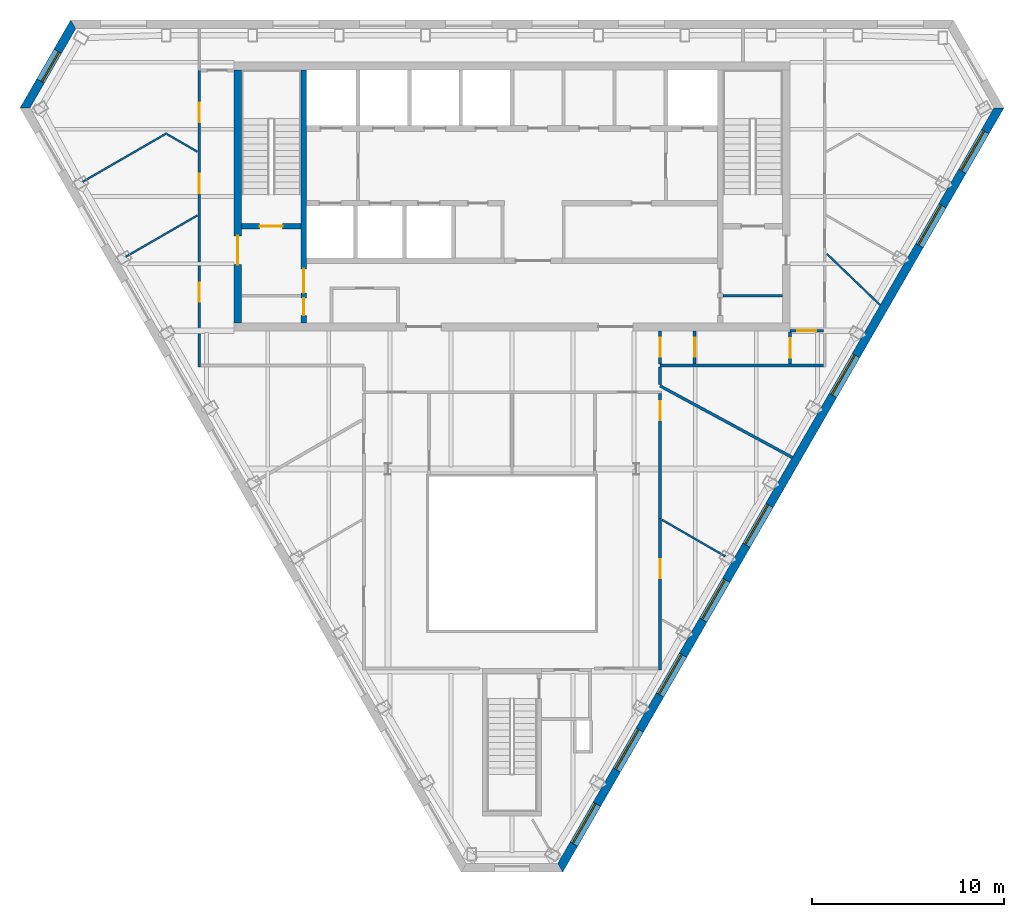
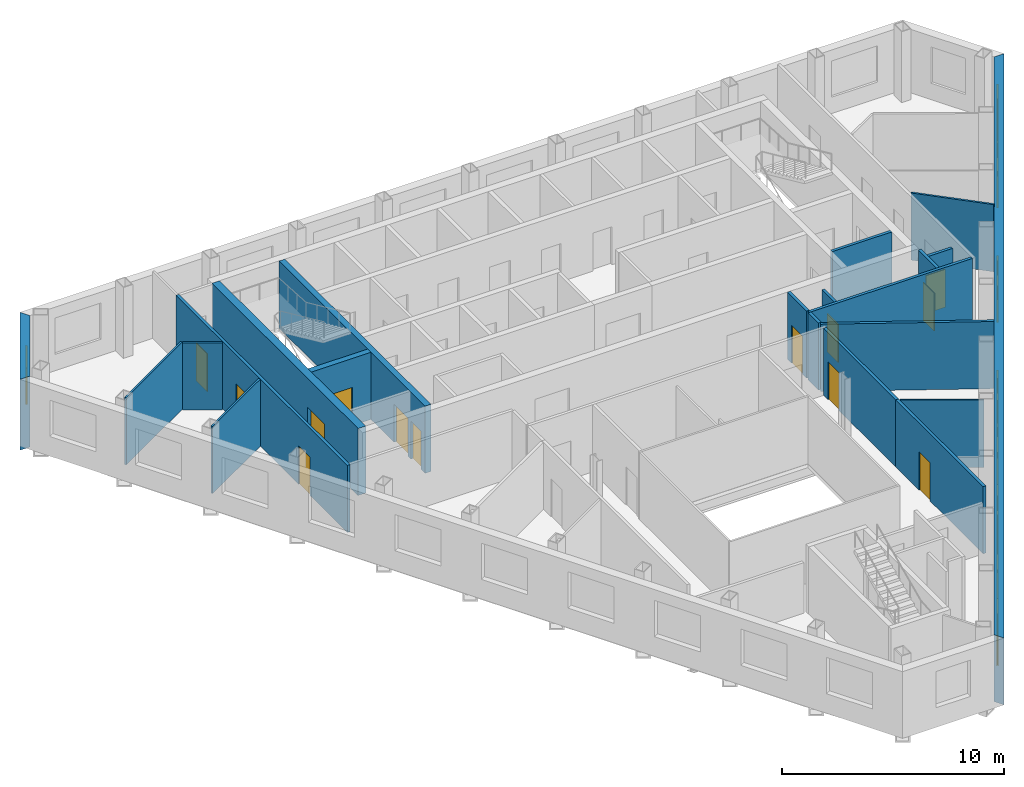
# One storey, part 5 of 10: 21 walls, 13 doors, 9 windows, 22 openings.
"""IFC4 building model written with IfcOpenShell, lengths in metres."""

from ifc_helpers import new_model, si_unit, direction, frame, frame_2d, origin, place, context, subcontext, project, spatial, polyline, rectangle, outline, extrude, material, layer, layer_set, type_object, element, fill, save


model = new_model("IFC4")

# Units and contexts
model_context = context("Model", 3, precision=1e-05, world=origin(), true_north=direction((0.0, 1.0)))
body_context = subcontext(model_context, "Body", "Model", "MODEL_VIEW")
ifc_project = project(units=[si_unit("LENGTHUNIT", "METRE"), si_unit("AREAUNIT", "SQUARE_METRE"), si_unit("VOLUMEUNIT", "CUBIC_METRE"), si_unit("PLANEANGLEUNIT", "RADIAN"), si_unit("MASSUNIT", "GRAM", prefix="KILO")], contexts=[model_context])

# Site, building, storey
site_placement = place(None, origin())
site = spatial("IfcSite", under=ifc_project, at=site_placement, CompositionType="ELEMENT")
building_placement = place(site_placement, origin())
building = spatial("IfcBuilding", under=site, at=building_placement, Name="Njiva Tower", CompositionType="ELEMENT")
storey_placement = place(building_placement, frame((0.0, 0.0, 280.5)))
storey = spatial("IfcBuildingStorey", under=building, at=storey_placement, Name="L64", CompositionType="ELEMENT", Elevation=280.5)

# Wall
ifc_material_1 = material(Name="Blockwork", Category="masonry")
ifc_layer_1 = layer(ifc_material_1, 0.15)
ifc_layer_set_1 = layer_set([ifc_layer_1], Name="Blockwork")
wall_type_1 = type_object("IfcWallType", Name="WT1 Compartment partition 150", PredefinedType="PARTITIONING", material=ifc_layer_set_1)
wall_1_placement = place(storey_placement, frame((11.0, 5.825, 0.0), z_axis=(0.0, 0.0, 1.0), x_axis=(1.0, 0.0, 0.0)))
element("IfcWall", 1, at=wall_1_placement, inside=storey, type_object=wall_type_1, Name="Room wall B", PredefinedType="PARTITIONING", context=body_context, shape_type="SweptSolid", body=[
    extrude(rectangle(XDim=3.1, YDim=0.15, at=frame_2d((1.55, 0.0))), origin(), (0.0, 0.0, 1.0), 3.7),
])

# Wall, openings, doors
ifc_material_2 = material(Name="Concrete C40/50", Category="concrete")
ifc_layer_2 = layer(ifc_material_2, 0.3)
ifc_layer_set_2 = layer_set([ifc_layer_2], Name="Concrete C40/50")
wall_type_2 = type_object("IfcWallType", Name="WT10 Stair enclosure wall 300", PredefinedType="SHEAR", material=ifc_layer_set_2)
wall_2_placement = place(storey_placement, frame((-10.85, 4.4, 0.0), z_axis=(0.0, 0.0, 1.0), x_axis=(0.0, 1.0, 0.0)))
wall_2 = element("IfcWall", 2, at=wall_2_placement, inside=storey, type_object=wall_type_2, Name="Stair wall west inner", PredefinedType="SHEAR", context=body_context, shape_type="SweptSolid", body=[
    extrude(rectangle(XDim=13.2, YDim=0.3, at=frame_2d((6.6, 0.0))), origin(), (0.0, 0.0, 1.0), 3.7),
])
opening_1_placement = place(wall_2_placement, frame((1.575, 0.0, 0.0)))
opening_1 = element("IfcOpeningElement", 3, at=opening_1_placement, cuts=wall_2, Name="Opening S21-D916", PredefinedType="OPENING", context=body_context, shape_type="SweptSolid", body=[
    extrude(rectangle(XDim=1.25, YDim=2.1, at=frame_2d((0.625, 1.05))), frame((0.0, 0.16, 0.0), z_axis=(0.0, -1.0, 0.0), x_axis=(1.0, 0.0, 0.0)), (0.0, 0.0, 1.0), 0.32),
])
opening_2_placement = place(wall_2_placement, frame((0.4, 0.0, 0.0)))
opening_2 = element("IfcOpeningElement", 4, at=opening_2_placement, cuts=wall_2, Name="Opening S21-D918", PredefinedType="OPENING", context=body_context, shape_type="SweptSolid", body=[
    extrude(rectangle(XDim=0.9, YDim=2.1, at=frame_2d((0.45, 1.05))), frame((0.0, 0.16, 0.0), z_axis=(0.0, -1.0, 0.0), x_axis=(1.0, 0.0, 0.0)), (0.0, 0.0, 1.0), 0.32),
])
ifc_material_3 = material(Name="Steel door, painted", Category="steel")
door_type_1 = type_object("IfcDoorType", Name="D13 Steel door 900x2100", OperationType="SINGLE_SWING_LEFT", PredefinedType="DOOR", material=ifc_material_3)
door_1_placement = place(opening_2_placement, origin())
door_1 = element("IfcDoor", 5, at=door_1_placement, inside=storey, type_object=door_type_1, Name="Quiet room door", OperationType="SINGLE_SWING_RIGHT", OverallHeight=2.1, OverallWidth=0.9, PredefinedType="DOOR", context=body_context, shape_type="SweptSolid", body=[
    extrude(rectangle(XDim=0.9, YDim=2.1, at=frame_2d((0.45, 1.05))), frame((0.0, 0.025, 0.0), z_axis=(0.0, -1.0, 0.0), x_axis=(1.0, 0.0, 0.0)), (0.0, 0.0, 1.0), 0.05),
])
fill(opening_2, door_1)
ifc_material_4 = material(Name="Glazed steel fire door", Category="steel")
door_type_2 = type_object("IfcDoorType", Name="D8 Vestibule corridor door 1250x2100 glazed", OperationType="SINGLE_SWING_LEFT", PredefinedType="DOOR", material=ifc_material_4)
door_2_placement = place(opening_1_placement, origin())
door_2 = element("IfcDoor", 6, at=door_2_placement, inside=storey, type_object=door_type_2, Name="Stair vestibule corridor door", OperationType="SINGLE_SWING_LEFT", OverallHeight=2.1, OverallWidth=1.25, PredefinedType="DOOR", context=body_context, shape_type="SweptSolid", body=[
    extrude(rectangle(XDim=1.25, YDim=2.1, at=frame_2d((0.625, 1.05))), frame((0.0, 0.025, 0.0), z_axis=(0.0, -1.0, 0.0), x_axis=(1.0, 0.0, 0.0)), (0.0, 0.0, 1.0), 0.05),
])
fill(opening_1, door_2)

# Wall, opening, door
wall_3_placement = place(storey_placement, frame((-14.1, 9.45, 0.0), z_axis=(0.0, 0.0, 1.0), x_axis=(1.0, 0.0, 0.0)))
wall_3 = element("IfcWall", 7, at=wall_3_placement, inside=storey, type_object=wall_type_2, Name="Stair A south wall", PredefinedType="SHEAR", context=body_context, shape_type="SweptSolid", body=[
    extrude(rectangle(XDim=3.1, YDim=0.3, at=frame_2d((1.55, 0.0))), origin(), (0.0, 0.0, 1.0), 3.7),
])
opening_3_placement = place(wall_3_placement, frame((0.95, 0.0, 0.0)))
opening_3 = element("IfcOpeningElement", 8, at=opening_3_placement, cuts=wall_3, Name="Opening S21-D915", PredefinedType="OPENING", context=body_context, shape_type="SweptSolid", body=[
    extrude(rectangle(XDim=1.2, YDim=2.1, at=frame_2d((0.6, 1.05))), frame((0.0, 0.16, 0.0), z_axis=(0.0, -1.0, 0.0), x_axis=(1.0, 0.0, 0.0)), (0.0, 0.0, 1.0), 0.32),
])
door_type_3 = type_object("IfcDoorType", Name="D7 Stair vestibule door 1200x2100 glazed", OperationType="SINGLE_SWING_LEFT", PredefinedType="DOOR", material=ifc_material_4)
door_3_placement = place(opening_3_placement, origin())
door_3 = element("IfcDoor", 9, at=door_3_placement, inside=storey, type_object=door_type_3, Name="Stair A door", OperationType="SINGLE_SWING_LEFT", OverallHeight=2.1, OverallWidth=1.2, PredefinedType="DOOR", context=body_context, shape_type="SweptSolid", body=[
    extrude(rectangle(XDim=1.2, YDim=2.1, at=frame_2d((0.6, 1.05))), frame((0.0, 0.025, 0.0), z_axis=(0.0, -1.0, 0.0), x_axis=(1.0, 0.0, 0.0)), (0.0, 0.0, 1.0), 0.05),
])
fill(opening_3, door_3)

ifc_material_5 = material(Name="Concrete C60/75", Category="concrete")
ifc_layer_3 = layer(ifc_material_5, 0.4)
ifc_layer_set_3 = layer_set([ifc_layer_3], Name="Concrete C60/75")
wall_type_3 = type_object("IfcWallType", Name="WT11 Core wall 400", PredefinedType="SHEAR", material=ifc_layer_set_3)
wall_4_placement = place(storey_placement, frame((-14.3, 4.4, 0.0), z_axis=(0.0, 0.0, 1.0), x_axis=(0.0, 1.0, 0.0)))
wall_4 = element("IfcWall", 10, at=wall_4_placement, inside=storey, type_object=wall_type_3, Name="Core wall west", PredefinedType="SHEAR", context=body_context, shape_type="SweptSolid", body=[
    extrude(rectangle(XDim=13.2, YDim=0.4, at=frame_2d((6.6, 0.0))), origin(), (0.0, 0.0, 1.0), 3.7),
])
opening_4_placement = place(wall_4_placement, frame((3.05, 0.0, 0.0)))
opening_4 = element("IfcOpeningElement", 11, at=opening_4_placement, cuts=wall_4, Name="Opening S21-D917", PredefinedType="OPENING", context=body_context, shape_type="SweptSolid", body=[
    extrude(rectangle(XDim=1.5, YDim=2.1, at=frame_2d((0.75, 1.05))), frame((0.0, 0.21, 0.0), z_axis=(0.0, -1.0, 0.0), x_axis=(1.0, 0.0, 0.0)), (0.0, 0.0, 1.0), 0.42),
])
door_type_4 = type_object("IfcDoorType", Name="D10 Exit door double 1500x2100 glazed", OperationType="DOUBLE_DOOR_SINGLE_SWING", PredefinedType="DOOR", material=ifc_material_4)
door_4_placement = place(opening_4_placement, origin())
door_4 = element("IfcDoor", 12, at=door_4_placement, inside=storey, type_object=door_type_4, Name="Stair A corridor door", OperationType="DOUBLE_DOOR_SINGLE_SWING", OverallHeight=2.1, OverallWidth=1.5, PredefinedType="DOOR", context=body_context, shape_type="SweptSolid", body=[
    extrude(rectangle(XDim=1.5, YDim=2.1, at=frame_2d((0.75, 1.05))), frame((0.0, 0.025, 0.0), z_axis=(0.0, -1.0, 0.0), x_axis=(1.0, 0.0, 0.0)), (0.0, 0.0, 1.0), 0.05),
])
fill(opening_4, door_4)

# Walls
ifc_material_6 = material(Name="Gypsum board on steel studs", Category="gypsum")
ifc_layer_4 = layer(ifc_material_6, 0.1)
ifc_layer_set_4 = layer_set([ifc_layer_4], Name="Gypsum board on steel studs")
wall_type_4 = type_object("IfcWallType", Name="WT20 Gypsum partition 100", PredefinedType="PARTITIONING", material=ifc_layer_set_4)
wall_5_placement = place(storey_placement, frame((-22.381, 11.765, 0.0), z_axis=(0.0, 0.0, 1.0), x_axis=(0.86601491352, 0.500018169231, 0.0)))
element("IfcWall", 13, at=wall_5_placement, inside=storey, type_object=wall_type_4, Name="Partition S21-P001", PredefinedType="PARTITIONING", context=body_context, shape_type="SweptSolid", body=[
    extrude(rectangle(XDim=5.0738, YDim=0.1, at=frame_2d((2.5369, 0.0))), origin(), (0.0, 0.0, 1.0), 3.7),
])
wall_6_placement = place(storey_placement, frame((-20.127, 7.862, 0.0), z_axis=(0.0, 0.0, 1.0), x_axis=(0.866104329613, 0.499863271531, 0.0)))
element("IfcWall", 14, at=wall_6_placement, inside=storey, type_object=wall_type_4, Name="Partition S21-P002", PredefinedType="PARTITIONING", context=body_context, shape_type="SweptSolid", body=[
    extrude(rectangle(XDim=4.3032, YDim=0.1, at=frame_2d((2.1516, 0.0))), origin(), (0.0, 0.0, 1.0), 3.7),
])
wall_7_placement = place(storey_placement, frame((-17.971, 14.243, 0.0), z_axis=(0.0, 0.0, 1.0), x_axis=(0.86602952684, -0.49999285859, 0.0)))
element("IfcWall", 15, at=wall_7_placement, inside=storey, type_object=wall_type_4, Name="Partition S21-P003", PredefinedType="PARTITIONING", context=body_context, shape_type="SweptSolid", body=[
    extrude(rectangle(XDim=1.814, YDim=0.1, at=frame_2d((0.907, 0.0))), origin(), (0.0, 0.0, 1.0), 3.7),
])
wall_8_placement = place(storey_placement, frame((7.82, -5.852, 0.0), z_axis=(0.0, 0.0, 1.0), x_axis=(0.865984062371, -0.500071598593, 0.0)))
element("IfcWall", 16, at=wall_8_placement, inside=storey, type_object=wall_type_4, Name="Partition S21-P026", PredefinedType="PARTITIONING", context=body_context, shape_type="SweptSolid", body=[
    extrude(rectangle(XDim=3.8015, YDim=0.1, at=frame_2d((1.9008, 0.0))), origin(), (0.0, 0.0, 1.0), 3.7),
])
wall_9_placement = place(storey_placement, frame((16.41, 8.012, 0.0), z_axis=(0.0, 0.0, 1.0), x_axis=(0.720972589003, -0.692963581948, 0.0)))
element("IfcWall", 17, at=wall_9_placement, inside=storey, type_object=wall_type_4, Name="Partition S21-P035", PredefinedType="PARTITIONING", context=body_context, shape_type="SweptSolid", body=[
    extrude(rectangle(XDim=3.8559, YDim=0.1, at=frame_2d((1.928, 0.0))), origin(), (0.0, 0.0, 1.0), 3.7),
])

# Wall, openings, doors
ifc_layer_5 = layer(ifc_material_6, 0.15)
ifc_layer_set_5 = layer_set([ifc_layer_5], Name="Gypsum board on steel studs")
wall_type_5 = type_object("IfcWallType", Name="WT21 Compartment wall 150", PredefinedType="PARTITIONING", material=ifc_layer_set_5)
wall_10_placement = place(storey_placement, frame((-16.3, 2.125, 0.0), z_axis=(0.0, 0.0, 1.0), x_axis=(0.0, 1.0, 0.0)))
wall_10 = element("IfcWall", 18, at=wall_10_placement, inside=storey, type_object=wall_type_5, Name="Partition S21-P004", PredefinedType="PARTITIONING", context=body_context, shape_type="SweptSolid", body=[
    extrude(rectangle(XDim=15.463, YDim=0.15, at=frame_2d((7.7315, 0.0))), origin(), (0.0, 0.0, 1.0), 3.7),
])
opening_5_placement = place(wall_10_placement, frame((3.385, 0.0, 0.0)))
opening_5 = element("IfcOpeningElement", 19, at=opening_5_placement, cuts=wall_10, Name="Opening S21-D001", PredefinedType="OPENING", context=body_context, shape_type="SweptSolid", body=[
    extrude(rectangle(XDim=1.0, YDim=2.1, at=frame_2d((0.5, 1.05))), frame((0.0, 0.085, 0.0), z_axis=(0.0, -1.0, 0.0), x_axis=(1.0, 0.0, 0.0)), (0.0, 0.0, 1.0), 0.17),
])
opening_6_placement = place(wall_10_placement, frame((9.05, 0.0, 0.0)))
opening_6 = element("IfcOpeningElement", 20, at=opening_6_placement, cuts=wall_10, Name="Opening S21-D002", PredefinedType="OPENING", context=body_context, shape_type="SweptSolid", body=[
    extrude(rectangle(XDim=1.0, YDim=2.1, at=frame_2d((0.5, 1.05))), frame((0.0, 0.085, 0.0), z_axis=(0.0, -1.0, 0.0), x_axis=(1.0, 0.0, 0.0)), (0.0, 0.0, 1.0), 0.17),
])
opening_7_placement = place(wall_10_placement, frame((12.758, 0.0, 0.0)))
opening_7 = element("IfcOpeningElement", 21, at=opening_7_placement, cuts=wall_10, Name="Opening S21-D003", PredefinedType="OPENING", context=body_context, shape_type="SweptSolid", body=[
    extrude(rectangle(XDim=1.0, YDim=2.1, at=frame_2d((0.5, 1.05))), frame((0.0, 0.085, 0.0), z_axis=(0.0, -1.0, 0.0), x_axis=(1.0, 0.0, 0.0)), (0.0, 0.0, 1.0), 0.17),
])
ifc_material_7 = material(Name="Steel fire door set", Category="steel")
door_type_5 = type_object("IfcDoorType", Name="D37 Fire door 1000x2100", OperationType="SINGLE_SWING_LEFT", PredefinedType="DOOR", material=ifc_material_7)
door_5_placement = place(opening_5_placement, origin())
door_5 = element("IfcDoor", 22, at=door_5_placement, inside=storey, type_object=door_type_5, Name="Door S21-D001", OperationType="SINGLE_SWING_RIGHT", OverallHeight=2.1, OverallWidth=1.0, PredefinedType="DOOR", context=body_context, shape_type="SweptSolid", body=[
    extrude(rectangle(XDim=1.0, YDim=2.1, at=frame_2d((0.5, 1.05))), frame((0.0, 0.025, 0.0), z_axis=(0.0, -1.0, 0.0), x_axis=(1.0, 0.0, 0.0)), (0.0, 0.0, 1.0), 0.05),
])
fill(opening_5, door_5)
door_6_placement = place(opening_6_placement, origin())
door_6 = element("IfcDoor", 23, at=door_6_placement, inside=storey, type_object=door_type_5, Name="Door S21-D002", OperationType="SINGLE_SWING_LEFT", OverallHeight=2.1, OverallWidth=1.0, PredefinedType="DOOR", context=body_context, shape_type="SweptSolid", body=[
    extrude(rectangle(XDim=1.0, YDim=2.1, at=frame_2d((0.5, 1.05))), frame((0.0, 0.025, 0.0), z_axis=(0.0, -1.0, 0.0), x_axis=(1.0, 0.0, 0.0)), (0.0, 0.0, 1.0), 0.05),
])
fill(opening_6, door_6)
door_7_placement = place(opening_7_placement, origin())
door_7 = element("IfcDoor", 24, at=door_7_placement, inside=storey, type_object=door_type_5, Name="Door S21-D003", OperationType="SINGLE_SWING_LEFT", OverallHeight=2.1, OverallWidth=1.0, PredefinedType="DOOR", context=body_context, shape_type="SweptSolid", body=[
    extrude(rectangle(XDim=1.0, YDim=2.1, at=frame_2d((0.5, 1.05))), frame((0.0, 0.025, 0.0), z_axis=(0.0, -1.0, 0.0), x_axis=(1.0, 0.0, 0.0)), (0.0, 0.0, 1.0), 0.05),
])
fill(opening_7, door_7)

# Wall, opening, door
wall_11_placement = place(storey_placement, frame((7.72, -13.675, 0.0), z_axis=(0.0, 0.0, 1.0), x_axis=(0.0, 1.0, 0.0)))
wall_11 = element("IfcWall", 25, at=wall_11_placement, inside=storey, type_object=wall_type_5, Name="Partition S21-P020", PredefinedType="PARTITIONING", context=body_context, shape_type="SweptSolid", body=[
    extrude(rectangle(XDim=7.892, YDim=0.15, at=frame_2d((3.946, 0.0))), origin(), (0.0, 0.0, 1.0), 3.7),
])
opening_8_placement = place(wall_11_placement, frame((4.777, 0.0, 0.0)))
opening_8 = element("IfcOpeningElement", 26, at=opening_8_placement, cuts=wall_11, Name="Opening S21-D012", PredefinedType="OPENING", context=body_context, shape_type="SweptSolid", body=[
    extrude(rectangle(XDim=1.0, YDim=2.1, at=frame_2d((0.5, 1.05))), frame((0.0, 0.085, 0.0), z_axis=(0.0, -1.0, 0.0), x_axis=(1.0, 0.0, 0.0)), (0.0, 0.0, 1.0), 0.17),
])
door_8_placement = place(opening_8_placement, origin())
door_8 = element("IfcDoor", 27, at=door_8_placement, inside=storey, type_object=door_type_5, Name="Door S21-D012", OperationType="SINGLE_SWING_RIGHT", OverallHeight=2.1, OverallWidth=1.0, PredefinedType="DOOR", context=body_context, shape_type="SweptSolid", body=[
    extrude(rectangle(XDim=1.0, YDim=2.1, at=frame_2d((0.5, 1.05))), frame((0.0, 0.025, 0.0), z_axis=(0.0, -1.0, 0.0), x_axis=(1.0, 0.0, 0.0)), (0.0, 0.0, 1.0), 0.05),
])
fill(opening_8, door_8)

# Walls
wall_12_placement = place(storey_placement, frame((7.72, 1.127, 0.0), z_axis=(0.0, 0.0, 1.0), x_axis=(0.879447920674, -0.475995120586, 0.0)))
element("IfcWall", 28, at=wall_12_placement, inside=storey, type_object=wall_type_5, Name="Partition S21-P021", PredefinedType="PARTITIONING", context=body_context, shape_type="SweptSolid", body=[
    extrude(rectangle(XDim=7.8299, YDim=0.15, at=frame_2d((3.915, 0.0))), origin(), (0.0, 0.0, 1.0), 3.7),
])
wall_13_placement = place(storey_placement, frame((7.72, 1.193, 0.0), z_axis=(0.0, 0.0, 1.0), x_axis=(0.0, 1.0, 0.0)))
element("IfcWall", 29, at=wall_13_placement, inside=storey, type_object=wall_type_5, Name="Partition S21-P022", PredefinedType="PARTITIONING", context=body_context, shape_type="SweptSolid", body=[
    extrude(rectangle(XDim=0.932, YDim=0.15, at=frame_2d((0.466, 0.0))), origin(), (0.0, 0.0, 1.0), 3.7),
])
wall_14_placement = place(storey_placement, frame((7.72, 2.2, 0.0), z_axis=(0.0, 0.0, 1.0), x_axis=(1.0, 0.0, 0.0)))
element("IfcWall", 30, at=wall_14_placement, inside=storey, type_object=wall_type_5, Name="Partition S21-P023", PredefinedType="PARTITIONING", context=body_context, shape_type="SweptSolid", body=[
    extrude(rectangle(XDim=8.505, YDim=0.15, at=frame_2d((4.2525, 0.0))), origin(), (0.0, 0.0, 1.0), 3.7),
])

# Wall, opening, door
wall_15_placement = place(storey_placement, frame((7.72, 2.275, 0.0), z_axis=(0.0, 0.0, 1.0), x_axis=(0.0, 1.0, 0.0)))
wall_15 = element("IfcWall", 31, at=wall_15_placement, inside=storey, type_object=wall_type_5, Name="Partition S21-P024", PredefinedType="PARTITIONING", context=body_context, shape_type="SweptSolid", body=[
    extrude(rectangle(XDim=1.725, YDim=0.15, at=frame_2d((0.8625, 0.0))), origin(), (0.0, 0.0, 1.0), 3.7),
])
opening_9_placement = place(wall_15_placement, frame((0.362, 0.0, 0.0)))
opening_9 = element("IfcOpeningElement", 32, at=opening_9_placement, cuts=wall_15, Name="Opening S21-D013", PredefinedType="OPENING", context=body_context, shape_type="SweptSolid", body=[
    extrude(rectangle(XDim=1.0, YDim=2.1, at=frame_2d((0.5, 1.05))), frame((0.0, 0.085, 0.0), z_axis=(0.0, -1.0, 0.0), x_axis=(1.0, 0.0, 0.0)), (0.0, 0.0, 1.0), 0.17),
])
door_9_placement = place(opening_9_placement, origin())
door_9 = element("IfcDoor", 33, at=door_9_placement, inside=storey, type_object=door_type_5, Name="Door S21-D013", OperationType="SINGLE_SWING_LEFT", OverallHeight=2.1, OverallWidth=1.0, PredefinedType="DOOR", context=body_context, shape_type="SweptSolid", body=[
    extrude(rectangle(XDim=1.0, YDim=2.1, at=frame_2d((0.5, 1.05))), frame((0.0, 0.025, 0.0), z_axis=(0.0, -1.0, 0.0), x_axis=(1.0, 0.0, 0.0)), (0.0, 0.0, 1.0), 0.05),
])
fill(opening_9, door_9)

wall_16_placement = place(storey_placement, frame((7.72, 0.725, 0.0), z_axis=(0.0, 0.0, 1.0), x_axis=(0.000153657036, -0.999999988195, 0.0)))
wall_16 = element("IfcWall", 34, at=wall_16_placement, inside=storey, type_object=wall_type_5, Name="Partition S21-P025", PredefinedType="PARTITIONING", context=body_context, shape_type="SweptSolid", body=[
    extrude(rectangle(XDim=6.508, YDim=0.15, at=frame_2d((3.254, 0.0))), origin(), (0.0, 0.0, 1.0), 3.7),
])
opening_10_placement = place(wall_16_placement, frame((0.4, 0.0, 0.0)))
opening_10 = element("IfcOpeningElement", 35, at=opening_10_placement, cuts=wall_16, Name="Opening S21-D014", PredefinedType="OPENING", context=body_context, shape_type="SweptSolid", body=[
    extrude(rectangle(XDim=1.0, YDim=2.1, at=frame_2d((0.5, 1.05))), frame((0.0, 0.085, 0.0), z_axis=(0.0, -1.0, 0.0), x_axis=(1.0, 0.0, 0.0)), (0.0, 0.0, 1.0), 0.17),
])
door_10_placement = place(opening_10_placement, origin())
door_10 = element("IfcDoor", 36, at=door_10_placement, inside=storey, type_object=door_type_5, Name="Door S21-D014", OperationType="SINGLE_SWING_RIGHT", OverallHeight=2.1, OverallWidth=1.0, PredefinedType="DOOR", context=body_context, shape_type="SweptSolid", body=[
    extrude(rectangle(XDim=1.0, YDim=2.1, at=frame_2d((0.5, 1.05))), frame((0.0, 0.025, 0.0), z_axis=(0.0, -1.0, 0.0), x_axis=(1.0, 0.0, 0.0)), (0.0, 0.0, 1.0), 0.05),
])
fill(opening_10, door_10)

wall_17_placement = place(storey_placement, frame((9.52, 2.275, 0.0), z_axis=(0.0, 0.0, 1.0), x_axis=(0.0, 1.0, 0.0)))
wall_17 = element("IfcWall", 37, at=wall_17_placement, inside=storey, type_object=wall_type_5, Name="Partition S21-P028", PredefinedType="PARTITIONING", context=body_context, shape_type="SweptSolid", body=[
    extrude(rectangle(XDim=1.725, YDim=0.15, at=frame_2d((0.8625, 0.0))), origin(), (0.0, 0.0, 1.0), 3.2),
])
opening_11_placement = place(wall_17_placement, frame((0.362, 0.0, 0.0)))
opening_11 = element("IfcOpeningElement", 38, at=opening_11_placement, cuts=wall_17, Name="Opening S21-D015", PredefinedType="OPENING", context=body_context, shape_type="SweptSolid", body=[
    extrude(rectangle(XDim=1.0, YDim=2.1, at=frame_2d((0.5, 1.05))), frame((0.0, 0.085, 0.0), z_axis=(0.0, -1.0, 0.0), x_axis=(1.0, 0.0, 0.0)), (0.0, 0.0, 1.0), 0.17),
])
door_11_placement = place(opening_11_placement, origin())
door_11 = element("IfcDoor", 39, at=door_11_placement, inside=storey, type_object=door_type_5, Name="Door S21-D015", OperationType="SINGLE_SWING_LEFT", OverallHeight=2.1, OverallWidth=1.0, PredefinedType="DOOR", context=body_context, shape_type="SweptSolid", body=[
    extrude(rectangle(XDim=1.0, YDim=2.1, at=frame_2d((0.5, 1.05))), frame((0.0, 0.025, 0.0), z_axis=(0.0, -1.0, 0.0), x_axis=(1.0, 0.0, 0.0)), (0.0, 0.0, 1.0), 0.05),
])
fill(opening_11, door_11)

wall_18_placement = place(storey_placement, frame((14.5, 2.275, 0.0), z_axis=(0.0, 0.0, 1.0), x_axis=(0.0, 1.0, 0.0)))
wall_18 = element("IfcWall", 40, at=wall_18_placement, inside=storey, type_object=wall_type_5, Name="Partition S21-P030", PredefinedType="PARTITIONING", context=body_context, shape_type="SweptSolid", body=[
    extrude(rectangle(XDim=1.65, YDim=0.15, at=frame_2d((0.825, 0.0))), origin(), (0.0, 0.0, 1.0), 3.7),
])
opening_12_placement = place(wall_18_placement, frame((0.325, 0.0, 0.0)))
opening_12 = element("IfcOpeningElement", 41, at=opening_12_placement, cuts=wall_18, Name="Opening S21-D016", PredefinedType="OPENING", context=body_context, shape_type="SweptSolid", body=[
    extrude(rectangle(XDim=1.0, YDim=2.1, at=frame_2d((0.5, 1.05))), frame((0.0, 0.085, 0.0), z_axis=(0.0, -1.0, 0.0), x_axis=(1.0, 0.0, 0.0)), (0.0, 0.0, 1.0), 0.17),
])
door_12_placement = place(opening_12_placement, origin())
door_12 = element("IfcDoor", 42, at=door_12_placement, inside=storey, type_object=door_type_5, Name="Door S21-D016", OperationType="SINGLE_SWING_LEFT", OverallHeight=2.1, OverallWidth=1.0, PredefinedType="DOOR", context=body_context, shape_type="SweptSolid", body=[
    extrude(rectangle(XDim=1.0, YDim=2.1, at=frame_2d((0.5, 1.05))), frame((0.0, 0.025, 0.0), z_axis=(0.0, -1.0, 0.0), x_axis=(1.0, 0.0, 0.0)), (0.0, 0.0, 1.0), 0.05),
])
fill(opening_12, door_12)

wall_19_placement = place(storey_placement, frame((14.5, 4.0, 0.0), z_axis=(0.0, 0.0, 1.0), x_axis=(1.0, 0.0, 0.0)))
wall_19 = element("IfcWall", 43, at=wall_19_placement, inside=storey, type_object=wall_type_5, Name="Partition S21-P031", PredefinedType="PARTITIONING", context=body_context, shape_type="SweptSolid", body=[
    extrude(rectangle(XDim=1.725, YDim=0.15, at=frame_2d((0.8625, 0.0))), origin(), (0.0, 0.0, 1.0), 3.16),
])
opening_13_placement = place(wall_19_placement, frame((0.363, 0.0, 0.0)))
opening_13 = element("IfcOpeningElement", 44, at=opening_13_placement, cuts=wall_19, Name="Opening S21-D017", PredefinedType="OPENING", context=body_context, shape_type="SweptSolid", body=[
    extrude(rectangle(XDim=1.0, YDim=2.1, at=frame_2d((0.5, 1.05))), frame((0.0, 0.085, 0.0), z_axis=(0.0, -1.0, 0.0), x_axis=(1.0, 0.0, 0.0)), (0.0, 0.0, 1.0), 0.17),
])
door_13_placement = place(opening_13_placement, origin())
door_13 = element("IfcDoor", 45, at=door_13_placement, inside=storey, type_object=door_type_5, Name="Door S21-D017", OperationType="SINGLE_SWING_LEFT", OverallHeight=2.1, OverallWidth=1.0, PredefinedType="DOOR", context=body_context, shape_type="SweptSolid", body=[
    extrude(rectangle(XDim=1.0, YDim=2.1, at=frame_2d((0.5, 1.05))), frame((0.0, 0.025, 0.0), z_axis=(0.0, -1.0, 0.0), x_axis=(1.0, 0.0, 0.0)), (0.0, 0.0, 1.0), 0.05),
])
fill(opening_13, door_13)

# Wall, openings, windows
ifc_material_8 = material(Name="Brick masonry", Category="masonry")
ifc_layer_6 = layer(ifc_material_8, 0.45)
ifc_layer_set_6 = layer_set([ifc_layer_6], Name="Brick masonry")
wall_type_6 = type_object("IfcWallType", Name="WT90 Brick pier and spandrel wall 450", PredefinedType="SOLIDWALL", material=ifc_layer_set_6)
wall_20_placement = place(storey_placement, frame((2.5151, -23.9934, -0.18), z_axis=(0.0, 0.0, 1.0), x_axis=(0.500000711659, 0.866024992908, 0.0)))
wall_20 = element("IfcWall", 46, at=wall_20_placement, inside=storey, type_object=wall_type_6, Name="Facade wall SE", PredefinedType="SOLIDWALL", context=body_context, shape_type="SweptSolid", body=[
    extrude(outline(polyline([(-0.1299, -0.225), (45.87, -0.225), (45.6102, 0.225), (0.1299, 0.225), (-0.1299, -0.225)])), origin(), (0.0, 0.0, 1.0), 3.68),
])
opening_14_placement = place(wall_20_placement, frame((1.4242, 0.0, 1.08)))
opening_14 = element("IfcOpeningElement", 47, at=opening_14_placement, cuts=wall_20, Name="Opening S21-W20", PredefinedType="OPENING", context=body_context, shape_type="SweptSolid", body=[
    extrude(rectangle(XDim=2.4, YDim=2.0, at=frame_2d((1.2, 1.0))), frame((0.0, 0.235, 0.0), z_axis=(0.0, -1.0, 0.0), x_axis=(1.0, 0.0, 0.0)), (0.0, 0.0, 1.0), 0.47),
])
opening_15_placement = place(wall_20_placement, frame((5.8934, 0.0, 1.08)))
opening_15 = element("IfcOpeningElement", 48, at=opening_15_placement, cuts=wall_20, Name="Opening S21-W21", PredefinedType="OPENING", context=body_context, shape_type="SweptSolid", body=[
    extrude(rectangle(XDim=2.4, YDim=2.0, at=frame_2d((1.2, 1.0))), frame((0.0, 0.235, 0.0), z_axis=(0.0, -1.0, 0.0), x_axis=(1.0, 0.0, 0.0)), (0.0, 0.0, 1.0), 0.47),
])
opening_16_placement = place(wall_20_placement, frame((10.401, 0.0, 1.08)))
opening_16 = element("IfcOpeningElement", 49, at=opening_16_placement, cuts=wall_20, Name="Opening S21-W22", PredefinedType="OPENING", context=body_context, shape_type="SweptSolid", body=[
    extrude(rectangle(XDim=2.4, YDim=2.0, at=frame_2d((1.2, 1.0))), frame((0.0, 0.235, 0.0), z_axis=(0.0, -1.0, 0.0), x_axis=(1.0, 0.0, 0.0)), (0.0, 0.0, 1.0), 0.47),
])
opening_17_placement = place(wall_20_placement, frame((14.9087, 0.0, 1.08)))
opening_17 = element("IfcOpeningElement", 50, at=opening_17_placement, cuts=wall_20, Name="Opening S21-W23", PredefinedType="OPENING", context=body_context, shape_type="SweptSolid", body=[
    extrude(rectangle(XDim=2.4, YDim=2.0, at=frame_2d((1.2, 1.0))), frame((0.0, 0.235, 0.0), z_axis=(0.0, -1.0, 0.0), x_axis=(1.0, 0.0, 0.0)), (0.0, 0.0, 1.0), 0.47),
])
opening_18_placement = place(wall_20_placement, frame((19.4163, 0.0, 1.08)))
opening_18 = element("IfcOpeningElement", 51, at=opening_18_placement, cuts=wall_20, Name="Opening S21-W24", PredefinedType="OPENING", context=body_context, shape_type="SweptSolid", body=[
    extrude(rectangle(XDim=2.4, YDim=2.0, at=frame_2d((1.2, 1.0))), frame((0.0, 0.235, 0.0), z_axis=(0.0, -1.0, 0.0), x_axis=(1.0, 0.0, 0.0)), (0.0, 0.0, 1.0), 0.47),
])
opening_19_placement = place(wall_20_placement, frame((28.4315, 0.0, 1.08)))
opening_19 = element("IfcOpeningElement", 52, at=opening_19_placement, cuts=wall_20, Name="Opening S21-W25", PredefinedType="OPENING", context=body_context, shape_type="SweptSolid", body=[
    extrude(rectangle(XDim=2.4, YDim=2.0, at=frame_2d((1.2, 1.0))), frame((0.0, 0.235, 0.0), z_axis=(0.0, -1.0, 0.0), x_axis=(1.0, 0.0, 0.0)), (0.0, 0.0, 1.0), 0.47),
])
opening_20_placement = place(wall_20_placement, frame((37.4468, 0.0, 1.08)))
opening_20 = element("IfcOpeningElement", 53, at=opening_20_placement, cuts=wall_20, Name="Opening S21-W26", PredefinedType="OPENING", context=body_context, shape_type="SweptSolid", body=[
    extrude(rectangle(XDim=2.4, YDim=2.0, at=frame_2d((1.2, 1.0))), frame((0.0, 0.235, 0.0), z_axis=(0.0, -1.0, 0.0), x_axis=(1.0, 0.0, 0.0)), (0.0, 0.0, 1.0), 0.47),
])
opening_21_placement = place(wall_20_placement, frame((41.916, 0.0, 1.08)))
opening_21 = element("IfcOpeningElement", 54, at=opening_21_placement, cuts=wall_20, Name="Opening S21-W27", PredefinedType="OPENING", context=body_context, shape_type="SweptSolid", body=[
    extrude(rectangle(XDim=2.4, YDim=2.0, at=frame_2d((1.2, 1.0))), frame((0.0, 0.235, 0.0), z_axis=(0.0, -1.0, 0.0), x_axis=(1.0, 0.0, 0.0)), (0.0, 0.0, 1.0), 0.47),
])
ifc_material_9 = material(Name="Clear glazing in aluminium frame", Category="aluminium")
window_type_1 = type_object("IfcWindowType", Name="W90 Deep-set window 2400x2000", PartitioningType="SINGLE_PANEL", PredefinedType="WINDOW", material=ifc_material_9)
window_1_placement = place(opening_14_placement, origin())
window_1 = element("IfcWindow", 55, at=window_1_placement, inside=storey, type_object=window_type_1, Name="Window", OverallHeight=2.0, OverallWidth=2.4, PartitioningType="SINGLE_PANEL", PredefinedType="WINDOW", context=body_context, shape_type="SweptSolid", body=[
    extrude(rectangle(XDim=2.4, YDim=2.0, at=frame_2d((1.2, 1.0))), frame((0.0, 0.105, 0.0), z_axis=(0.0, -1.0, 0.0), x_axis=(1.0, 0.0, 0.0)), (0.0, 0.0, 1.0), 0.06),
])
fill(opening_14, window_1)
window_2_placement = place(opening_15_placement, origin())
window_2 = element("IfcWindow", 56, at=window_2_placement, inside=storey, type_object=window_type_1, Name="Window", OverallHeight=2.0, OverallWidth=2.4, PartitioningType="SINGLE_PANEL", PredefinedType="WINDOW", context=body_context, shape_type="SweptSolid", body=[
    extrude(rectangle(XDim=2.4, YDim=2.0, at=frame_2d((1.2, 1.0))), frame((0.0, 0.105, 0.0), z_axis=(0.0, -1.0, 0.0), x_axis=(1.0, 0.0, 0.0)), (0.0, 0.0, 1.0), 0.06),
])
fill(opening_15, window_2)
window_3_placement = place(opening_16_placement, origin())
window_3 = element("IfcWindow", 57, at=window_3_placement, inside=storey, type_object=window_type_1, Name="Window", OverallHeight=2.0, OverallWidth=2.4, PartitioningType="SINGLE_PANEL", PredefinedType="WINDOW", context=body_context, shape_type="SweptSolid", body=[
    extrude(rectangle(XDim=2.4, YDim=2.0, at=frame_2d((1.2, 1.0))), frame((0.0, 0.105, 0.0), z_axis=(0.0, -1.0, 0.0), x_axis=(1.0, 0.0, 0.0)), (0.0, 0.0, 1.0), 0.06),
])
fill(opening_16, window_3)
window_4_placement = place(opening_17_placement, origin())
window_4 = element("IfcWindow", 58, at=window_4_placement, inside=storey, type_object=window_type_1, Name="Window", OverallHeight=2.0, OverallWidth=2.4, PartitioningType="SINGLE_PANEL", PredefinedType="WINDOW", context=body_context, shape_type="SweptSolid", body=[
    extrude(rectangle(XDim=2.4, YDim=2.0, at=frame_2d((1.2, 1.0))), frame((0.0, 0.105, 0.0), z_axis=(0.0, -1.0, 0.0), x_axis=(1.0, 0.0, 0.0)), (0.0, 0.0, 1.0), 0.06),
])
fill(opening_17, window_4)
window_5_placement = place(opening_18_placement, origin())
window_5 = element("IfcWindow", 59, at=window_5_placement, inside=storey, type_object=window_type_1, Name="Window", OverallHeight=2.0, OverallWidth=2.4, PartitioningType="SINGLE_PANEL", PredefinedType="WINDOW", context=body_context, shape_type="SweptSolid", body=[
    extrude(rectangle(XDim=2.4, YDim=2.0, at=frame_2d((1.2, 1.0))), frame((0.0, 0.105, 0.0), z_axis=(0.0, -1.0, 0.0), x_axis=(1.0, 0.0, 0.0)), (0.0, 0.0, 1.0), 0.06),
])
fill(opening_18, window_5)
window_6_placement = place(opening_19_placement, origin())
window_6 = element("IfcWindow", 60, at=window_6_placement, inside=storey, type_object=window_type_1, Name="Window", OverallHeight=2.0, OverallWidth=2.4, PartitioningType="SINGLE_PANEL", PredefinedType="WINDOW", context=body_context, shape_type="SweptSolid", body=[
    extrude(rectangle(XDim=2.4, YDim=2.0, at=frame_2d((1.2, 1.0))), frame((0.0, 0.105, 0.0), z_axis=(0.0, -1.0, 0.0), x_axis=(1.0, 0.0, 0.0)), (0.0, 0.0, 1.0), 0.06),
])
fill(opening_19, window_6)
window_7_placement = place(opening_20_placement, origin())
window_7 = element("IfcWindow", 61, at=window_7_placement, inside=storey, type_object=window_type_1, Name="Window", OverallHeight=2.0, OverallWidth=2.4, PartitioningType="SINGLE_PANEL", PredefinedType="WINDOW", context=body_context, shape_type="SweptSolid", body=[
    extrude(rectangle(XDim=2.4, YDim=2.0, at=frame_2d((1.2, 1.0))), frame((0.0, 0.105, 0.0), z_axis=(0.0, -1.0, 0.0), x_axis=(1.0, 0.0, 0.0)), (0.0, 0.0, 1.0), 0.06),
])
fill(opening_20, window_7)
window_8_placement = place(opening_21_placement, origin())
window_8 = element("IfcWindow", 62, at=window_8_placement, inside=storey, type_object=window_type_1, Name="Window", OverallHeight=2.0, OverallWidth=2.4, PartitioningType="SINGLE_PANEL", PredefinedType="WINDOW", context=body_context, shape_type="SweptSolid", body=[
    extrude(rectangle(XDim=2.4, YDim=2.0, at=frame_2d((1.2, 1.0))), frame((0.0, 0.105, 0.0), z_axis=(0.0, -1.0, 0.0), x_axis=(1.0, 0.0, 0.0)), (0.0, 0.0, 1.0), 0.06),
])
fill(opening_21, window_8)

# Wall, opening, window
ifc_material_10 = material(Name="Brick masonry, buff", Category="masonry")
ifc_layer_7 = layer(ifc_material_10, 0.45)
ifc_layer_set_7 = layer_set([ifc_layer_7], Name="Brick masonry, buff")
wall_type_7 = type_object("IfcWallType", Name="WT94 Brick pier and spandrel wall 450, buff", PredefinedType="SOLIDWALL", material=ifc_layer_set_7)
wall_21_placement = place(storey_placement, frame((-22.8701, 19.975, -0.4), z_axis=(0.0, 0.0, 1.0), x_axis=(-0.49999836324, -0.866026348766, 0.0)))
wall_21 = element("IfcWall", 63, at=wall_21_placement, inside=storey, type_object=wall_type_7, Name="Facade wall NW", PredefinedType="SOLIDWALL", context=body_context, shape_type="SweptSolid", body=[
    extrude(outline(polyline([(-0.1299, -0.225), (5.1601, -0.225), (4.9003, 0.225), (0.1299, 0.225), (-0.1299, -0.225)])), origin(), (0.0, 0.0, 1.0), 3.9),
])
opening_22_placement = place(wall_21_placement, frame((1.6151, 0.0, 1.3)))
opening_22 = element("IfcOpeningElement", 64, at=opening_22_placement, cuts=wall_21, Name="Opening S21-W08", PredefinedType="OPENING", context=body_context, shape_type="SweptSolid", body=[
    extrude(rectangle(XDim=1.8, YDim=2.0, at=frame_2d((0.9, 1.0))), frame((0.0, 0.235, 0.0), z_axis=(0.0, -1.0, 0.0), x_axis=(1.0, 0.0, 0.0)), (0.0, 0.0, 1.0), 0.47),
])
window_type_2 = type_object("IfcWindowType", Name="W94 Deep-set window 1800x2000", PartitioningType="SINGLE_PANEL", PredefinedType="WINDOW", material=ifc_material_9)
window_9_placement = place(opening_22_placement, origin())
window_9 = element("IfcWindow", 65, at=window_9_placement, inside=storey, type_object=window_type_2, Name="Window", OverallHeight=2.0, OverallWidth=1.8, PartitioningType="SINGLE_PANEL", PredefinedType="WINDOW", context=body_context, shape_type="SweptSolid", body=[
    extrude(rectangle(XDim=1.8, YDim=2.0, at=frame_2d((0.9, 1.0))), frame((0.0, 0.105, 0.0), z_axis=(0.0, -1.0, 0.0), x_axis=(1.0, 0.0, 0.0)), (0.0, 0.0, 1.0), 0.06),
])
fill(opening_22, window_9)

save(model, "model.ifc")
